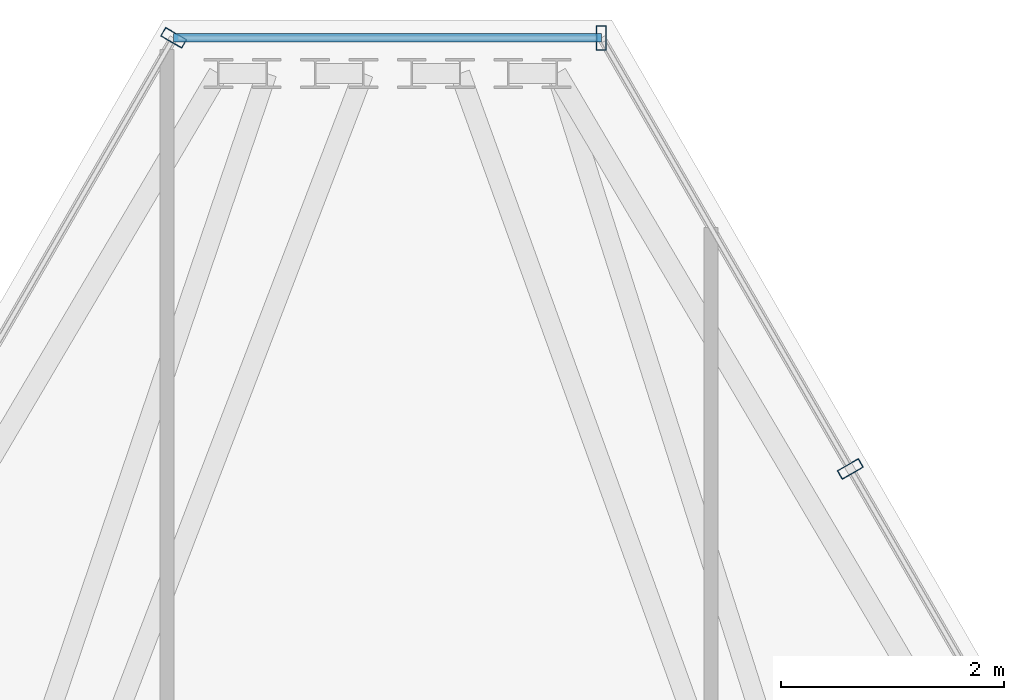
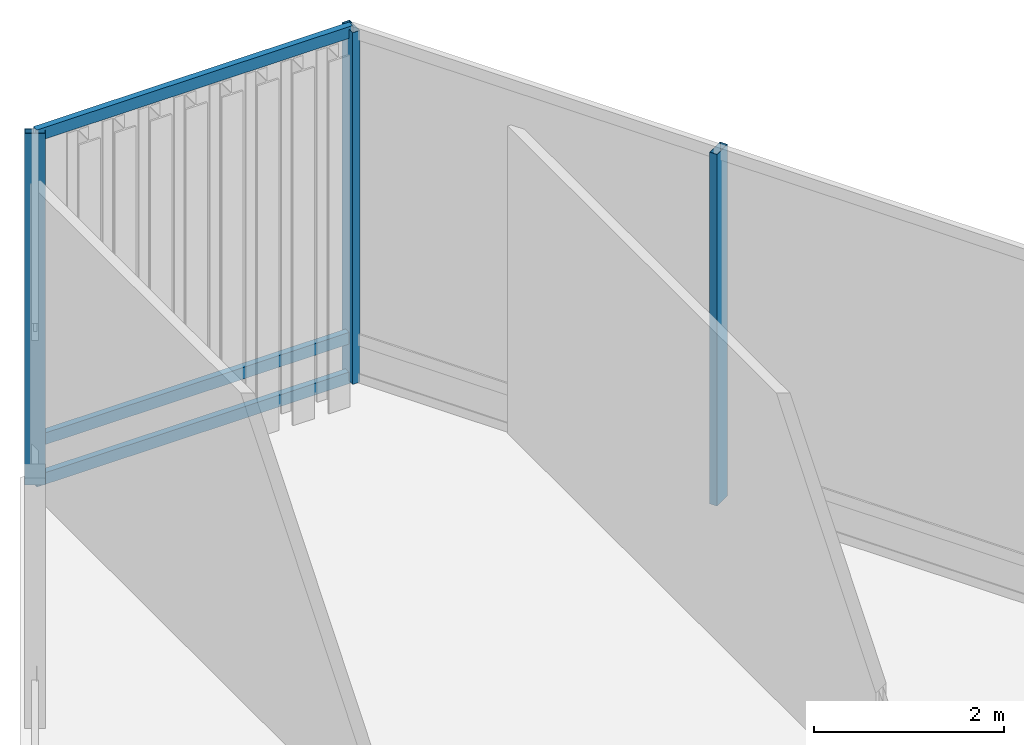
# One storey, part 18 of 25: 6 members, 3 elements without a shape of their own.
"""IFC4 building model written with IfcOpenShell, lengths in metres."""

from ifc_helpers import new_model, si_unit, direction, frame, origin, origin_2d, place, context, subcontext, project, spatial, hollow_rectangle, extrude, material, layer, layer_set, material_profile, profile_set, type_object, element, aggregate, save


model = new_model("IFC4")

# Units and contexts
model_context = context("Model", 3, precision=1e-05, world=origin(), true_north=direction((0.0, 1.0)))
body_context = subcontext(model_context, "Body", "Model", "MODEL_VIEW")
ifc_project = project(units=[si_unit("LENGTHUNIT", "METRE"), si_unit("AREAUNIT", "SQUARE_METRE"), si_unit("VOLUMEUNIT", "CUBIC_METRE"), si_unit("PLANEANGLEUNIT", "RADIAN"), si_unit("MASSUNIT", "GRAM", prefix="KILO")], contexts=[model_context])

# Site, building, storey
site_placement = place(None, origin())
site = spatial("IfcSite", under=ifc_project, at=site_placement, CompositionType="ELEMENT")
building_placement = place(site_placement, origin())
building = spatial("IfcBuilding", under=site, at=building_placement, Name="Ndaravel Arena Tower", CompositionType="ELEMENT")
storey_placement = place(building_placement, frame((0.0, 0.0, 298.5)))
storey = spatial("IfcBuildingStorey", under=building, at=storey_placement, Name="L73", CompositionType="ELEMENT", Elevation=298.5)

# Curtain wall, member
ifc_material_1 = material(Name="Aluminium", Category="aluminium")
ifc_layer = layer(ifc_material_1, 0.179931640625)
ifc_layer_set = layer_set([ifc_layer], Name="Aluminium")
curtain_wall_type = type_object("IfcCurtainWallType", Name="CW-SYS-04", PredefinedType="NOTDEFINED", material=ifc_layer_set)
curtain_wall_1_placement = place(storey_placement, origin())
curtain_wall_1 = element("IfcCurtainWall", 1, at=curtain_wall_1_placement, inside=storey, type_object=curtain_wall_type, Name="L73 Faceted Crystal Curtain Wall CW-L73-E03", PredefinedType="NOTDEFINED")
ifc_material_2 = material(Name="Aluminium", Category="aluminium")
ifc_material_profile_1 = material_profile(ifc_material_2, hollow_rectangle(XDim=0.090087890625, YDim=0.219970703125, WallThickness=0.0048828125, at=origin_2d()), Name="CW MULLION 90x220x5")
ifc_profile_set_1 = profile_set([ifc_material_profile_1], Name="Aluminium")
member_type_1 = type_object("IfcMemberType", Name="MEM-CW-MUL220", PredefinedType="MULLION", material=ifc_profile_set_1)
member_1_placement = place(storey_placement, frame((46.15478515625, 39.454345703125, 0.0), z_axis=(0.0, 0.0, 1.0), x_axis=(-0.5, 0.866025403784, 0.0)))
member_1 = element("IfcMember", 2, at=member_1_placement, type_object=member_type_1, Name="CW-L73-E03 Mullion 08", PredefinedType="MULLION", context=body_context, shape_type="SweptSolid", body=[
    extrude(hollow_rectangle(XDim=0.090087890625, YDim=0.219970703125, WallThickness=0.0048828125, at=origin_2d()), origin(), (0.0, 0.0, 1.0), 4.52001953125),
])
aggregate(curtain_wall_1, [member_1])

curtain_wall_2_placement = place(storey_placement, origin())
curtain_wall_2 = element("IfcCurtainWall", 3, at=curtain_wall_2_placement, inside=storey, type_object=curtain_wall_type, Name="L73 Faceted Crystal Curtain Wall CW-L73-E04", PredefinedType="NOTDEFINED")
member_2_placement = place(storey_placement, frame((43.919921875, 43.325439453125, 0.0), z_axis=(0.0, 0.0, 1.0), x_axis=(-1.0, 0.0, 0.0)))
member_2 = element("IfcMember", 4, at=member_2_placement, type_object=member_type_1, Name="CW-L73-E04 Mullion 00", PredefinedType="MULLION", context=body_context, shape_type="SweptSolid", body=[
    extrude(hollow_rectangle(XDim=0.090087890625, YDim=0.219970703125, WallThickness=0.0048828125, at=origin_2d()), origin(), (0.0, 0.0, 1.0), 4.52001953125),
])

curtain_wall_3_placement = place(storey_placement, origin())
curtain_wall_3 = element("IfcCurtainWall", 5, at=curtain_wall_3_placement, inside=storey, type_object=curtain_wall_type, Name="L73 Faceted Crystal Curtain Wall CW-L73-E05", PredefinedType="NOTDEFINED")
member_3_placement = place(storey_placement, frame((40.080078125, 43.325439453125, 0.0), z_axis=(0.0, 0.0, 1.0), x_axis=(-0.5, -0.866025403784, 0.0)))
member_3 = element("IfcMember", 6, at=member_3_placement, type_object=member_type_1, Name="CW-L73-E05 Mullion 00", PredefinedType="MULLION", context=body_context, shape_type="SweptSolid", body=[
    extrude(hollow_rectangle(XDim=0.090087890625, YDim=0.219970703125, WallThickness=0.0048828125, at=origin_2d()), origin(), (0.0, 0.0, 1.0), 4.52001953125),
])
aggregate(curtain_wall_3, [member_3])

# Member
ifc_material_3 = material(Name="Aluminium", Category="aluminium")
ifc_material_profile_2 = material_profile(ifc_material_3, hollow_rectangle(XDim=0.074951171875, YDim=0.14990234375, WallThickness=0.00390625, at=origin_2d()), Name="CW TRANSOM 75x150x4")
ifc_profile_set_2 = profile_set([ifc_material_profile_2], Name="Aluminium")
member_type_2 = type_object("IfcMemberType", Name="MEM-CW-TRN150", PredefinedType="USERDEFINED", material=ifc_profile_set_2)
member_4_placement = place(storey_placement, frame((43.919921875, 43.325439453125, 0.0400390625), z_axis=(-1.0, 0.0, 0.0), x_axis=(0.0, -1.0, 0.0)))
member_4 = element("IfcMember", 7, at=member_4_placement, type_object=member_type_2, Name="CW-L73-E04 Transom 01", ObjectType="TRANSOM", PredefinedType="USERDEFINED", context=body_context, shape_type="SweptSolid", body=[
    extrude(hollow_rectangle(XDim=0.074951171875, YDim=0.14990234375, WallThickness=0.00390625, at=origin_2d()), origin(), (0.0, 0.0, 1.0), 3.83984375),
])

member_5_placement = place(storey_placement, frame((43.919921875, 43.325439453125, 0.550048828125), z_axis=(-1.0, 0.0, 0.0), x_axis=(0.0, -1.0, 0.0)))
member_5 = element("IfcMember", 8, at=member_5_placement, type_object=member_type_2, Name="CW-L73-E04 Transom 02", ObjectType="TRANSOM", PredefinedType="USERDEFINED", context=body_context, shape_type="SweptSolid", body=[
    extrude(hollow_rectangle(XDim=0.074951171875, YDim=0.14990234375, WallThickness=0.00390625, at=origin_2d()), origin(), (0.0, 0.0, 1.0), 3.83984375),
])

member_6_placement = place(storey_placement, frame((43.919921875, 43.325439453125, 4.47998046875), z_axis=(-1.0, 0.0, 0.0), x_axis=(0.0, -1.0, 0.0)))
member_6 = element("IfcMember", 9, at=member_6_placement, type_object=member_type_2, Name="CW-L73-E04 Transom 03", ObjectType="TRANSOM", PredefinedType="USERDEFINED", context=body_context, shape_type="SweptSolid", body=[
    extrude(hollow_rectangle(XDim=0.074951171875, YDim=0.14990234375, WallThickness=0.00390625, at=origin_2d()), origin(), (0.0, 0.0, 1.0), 3.83984375),
])

aggregate(curtain_wall_2, [member_2, member_4, member_5, member_6])

save(model, "model.ifc")
